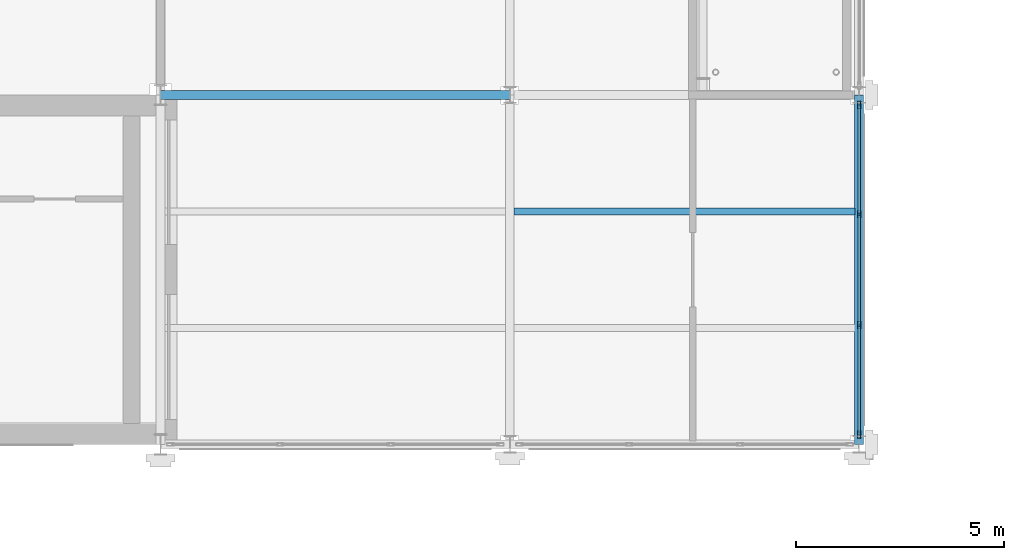
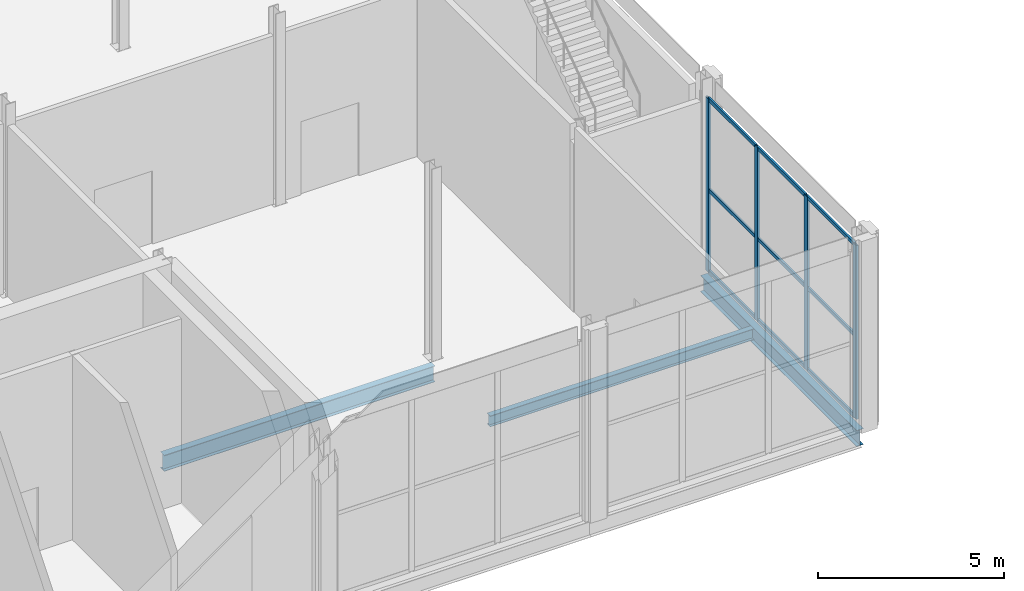
# One storey, part 31 of 77: 13 members, 3 beams, 1 element without a shape of its own.
"""IFC4 building model written with IfcOpenShell, lengths in metres."""

import ifcopenshell
import ifcopenshell.guid

model = None  # the IFC model being written
_history = None  # IfcOwnerHistory: only IFC2X3 demands one
_inside = {}  # id of a spatial element -> (the spatial element, [elements in it])
_under = {}  # id of a project, library or spatial element -> (it, [spatial elements below it])
_declared = {}  # id of a project -> (the project, [libraries it declares])
_typed = {}  # id of a type object -> (the type object, [elements of that type])
_made_of = {}  # id of a material, layer set ... -> (it, [elements and type objects made of it])


def new_model(schema):
    """Start an empty IFC model of exactly this schema.

    Asked for "IFC4X3", IfcOpenShell would pick the latest addendum, in which some entities
    have other attributes; the version numbers below select the first issue.
    IFC2X3 requires an IfcOwnerHistory on every rooted entity: one is made here for all.
    """
    global model, _history
    if schema == "IFC4X3":
        model = ifcopenshell.file(schema_version=(4, 3, 0, 0))
    else:
        model = ifcopenshell.file(schema=schema)
    _inside.clear()
    _under.clear()
    _declared.clear()
    _typed.clear()
    _made_of.clear()
    _history = None
    if model.schema == "IFC2X3":
        org = make("IfcOrganization", Name="unknown")
        user = make(
            "IfcPersonAndOrganization",
            ThePerson=make("IfcPerson", FamilyName="unknown"),
            TheOrganization=org,
        )
        app = make(
            "IfcApplication",
            ApplicationDeveloper=org,
            Version="unknown",
            ApplicationFullName="unknown",
            ApplicationIdentifier="unknown",
        )
        _history = make(
            "IfcOwnerHistory",
            OwningUser=user,
            OwningApplication=app,
            ChangeAction="ADDED",
            CreationDate=0,
        )
    return model


def make(cls, **values):
    """One entity of the class cls with the attributes given. An attribute that is None is left unset."""
    return model.create_entity(
        cls, **{name: value for name, value in values.items() if value is not None}
    )


def rooted(cls, **values):
    """An entity with a GlobalId (a new one), such as an element, a storey or a relation."""
    return make(cls, GlobalId=ifcopenshell.guid.new(), OwnerHistory=_history, **values)


def si_unit(unit_type, name, prefix=None):
    """IfcSIUnit, for example si_unit("LENGTHUNIT", "METRE", prefix="MILLI")."""
    return make("IfcSIUnit", UnitType=unit_type, Prefix=prefix, Name=name)


def assignment(units):
    """IfcUnitAssignment: the units of a project."""
    return None if units is None else make("IfcUnitAssignment", Units=units)


def point(xyz):
    """IfcCartesianPoint."""
    return None if xyz is None else make("IfcCartesianPoint", Coordinates=xyz)


def direction(xyz):
    """IfcDirection."""
    return None if xyz is None else make("IfcDirection", DirectionRatios=xyz)


def frame(location, z_axis=None, x_axis=None):
    """IfcAxis2Placement3D, a coordinate frame: its origin and axes. An axis left out is left unset."""
    return make(
        "IfcAxis2Placement3D",
        Location=point(location),
        Axis=direction(z_axis),
        RefDirection=direction(x_axis),
    )


def frame_2d(location, x_axis=None):
    """IfcAxis2Placement2D, a coordinate frame in the plane: its origin and x axis."""
    return make(
        "IfcAxis2Placement2D", Location=point(location), RefDirection=direction(x_axis)
    )


def origin():
    """The frame at (0, 0, 0) with its axes left unset."""
    return frame((0.0, 0.0, 0.0))


def origin_2d():
    """The frame at (0, 0) in the plane with its x axis left unset."""
    return frame_2d((0.0, 0.0))


def place(relative_to, where):
    """IfcLocalPlacement: puts the frame where relative to a parent placement (None: the world)."""
    return make(
        "IfcLocalPlacement", PlacementRelTo=relative_to, RelativePlacement=where
    )


def context(
    kind, dimensions, precision=None, world=None, true_north=None, identifier=None
):
    """IfcGeometricRepresentationContext, for example the 3D "Model" context."""
    return make(
        "IfcGeometricRepresentationContext",
        ContextIdentifier=identifier,
        ContextType=kind,
        CoordinateSpaceDimension=dimensions,
        Precision=precision,
        WorldCoordinateSystem=world,
        TrueNorth=true_north,
    )


def subcontext(parent, identifier, kind, view, scale=None):
    """IfcGeometricRepresentationSubContext, for example "Body" below "Model"."""
    return make(
        "IfcGeometricRepresentationSubContext",
        ContextIdentifier=identifier,
        ContextType=kind,
        ParentContext=parent,
        TargetScale=scale,
        TargetView=view,
    )


def project(units=None, contexts=None):
    """IfcProject with its units and contexts."""
    return rooted(
        "IfcProject",
        Name="project",
        RepresentationContexts=contexts,
        UnitsInContext=assignment(units),
    )


def spatial(cls, under=None, at=None, **own):
    """A site, building, storey or space (cls), placed at a placement, below another one or the project."""
    s = rooted(cls, ObjectPlacement=at, **own)
    if under is not None:
        _under.setdefault(under.id(), (under, []))[1].append(s)
    return s


def profile(cls, at=None, kind="AREA", **sizes):
    """A parametric profile (cls). Its sizes go by their IFC names, for example OverallWidth=200.0."""
    return make(cls, ProfileType=kind, Position=at, **sizes)


def hollow_rectangle(**sizes):
    """IfcRectangleHollowProfileDef."""
    return profile("IfcRectangleHollowProfileDef", **sizes)


def i_section(**sizes):
    """IfcIShapeProfileDef."""
    return profile("IfcIShapeProfileDef", **sizes)


def extrude(swept, where, along, depth):
    """IfcExtrudedAreaSolid: the profile swept, set in the frame where, extruded along a direction by depth."""
    return make(
        "IfcExtrudedAreaSolid",
        SweptArea=swept,
        Position=where,
        ExtrudedDirection=direction(along),
        Depth=depth,
    )


def shape(context_of_items, identifier, shape_type, items):
    """IfcShapeRepresentation: the items that make up one representation, for example the "Body"."""
    return make(
        "IfcShapeRepresentation",
        ContextOfItems=context_of_items,
        RepresentationIdentifier=identifier,
        RepresentationType=shape_type,
        Items=items,
    )


def material(Name=None, Category=None):
    """IfcMaterial."""
    return make("IfcMaterial", Name=Name, Category=Category)


def material_profile(
    of_material, cross_section, Name=None, Category=None, Priority=None
):
    """IfcMaterialProfile: a cross section and its material."""
    return make(
        "IfcMaterialProfile",
        Name=Name,
        Material=of_material,
        Profile=cross_section,
        Priority=Priority,
        Category=Category,
    )


def profile_set(profiles, Name=None, composite=None):
    """IfcMaterialProfileSet."""
    return make(
        "IfcMaterialProfileSet",
        Name=Name,
        MaterialProfiles=profiles,
        CompositeProfile=composite,
    )


def made_of(thing, what):
    """Note that an element or type object is made of a material, layer set ...; save() writes the relation."""
    if what is not None:
        _made_of.setdefault(what.id(), (what, []))[1].append(thing)
    return thing


def type_object(cls, material=None, **own):
    """A type object (cls), such as IfcWallType, which elements share."""
    return made_of(rooted(cls, **own), material)


def element(
    cls,
    number,
    at=None,
    inside=None,
    cuts=None,
    type_object=None,
    material=None,
    context=None,
    identifier="Body",
    shape_type=None,
    held_by="IfcProductDefinitionShape",
    body=None,
    shapes=None,
    **own,
):
    """One element of the class cls, such as IfcWall. Its Tag is "e" and its number.

    at: its placement. inside: the storey or other place that contains it. cuts: it is an
    opening in that element (IfcRelVoidsElement). A single representation is given by context,
    identifier, shape_type and body (its items); several are given by shapes. held_by: the class
    of the entity that holds the representations. save() writes the other relations.
    """
    e = rooted(cls, Tag="e%d" % number, ObjectPlacement=at, **own)
    if body is not None:
        shapes = [shape(context, identifier, shape_type, body)]
    if shapes is not None:
        e.Representation = make(held_by, Representations=shapes)
    if inside is not None:
        _inside.setdefault(inside.id(), (inside, []))[1].append(e)
    if cuts is not None:
        rooted(
            "IfcRelVoidsElement", RelatingBuildingElement=cuts, RelatedOpeningElement=e
        )
    if type_object is not None:
        _typed.setdefault(type_object.id(), (type_object, []))[1].append(e)
    return made_of(e, material)


def aggregate(whole, parts):
    """IfcRelAggregates: a whole, such as a stair, and the parts it consists of."""
    return rooted("IfcRelAggregates", RelatingObject=whole, RelatedObjects=parts)


def save(model, path):
    """Write the relations noted so far, then the file.

    IfcRelAggregates (storeys below a building ...), IfcRelContainedInSpatialStructure (elements
    in a storey), IfcRelDefinesByType, IfcRelAssociatesMaterial and IfcRelDeclares: one each for
    every whole, place, type object, material and project.
    """
    for whole, parts in _under.values():
        aggregate(whole, parts)
    for where, things in _inside.values():
        rooted(
            "IfcRelContainedInSpatialStructure",
            RelatedElements=things,
            RelatingStructure=where,
        )
    for kind, things in _typed.values():
        rooted("IfcRelDefinesByType", RelatedObjects=things, RelatingType=kind)
    for what, things in _made_of.values():
        rooted("IfcRelAssociatesMaterial", RelatedObjects=things, RelatingMaterial=what)
    for by, libraries in _declared.values():
        rooted("IfcRelDeclares", RelatingContext=by, RelatedDefinitions=libraries)
    model.write(path)


model = new_model("IFC4")

# Units and contexts
model_context = context("Model", 3, precision=1e-05, world=origin(), true_north=direction((0.0, 1.0)))
body_context = subcontext(model_context, "Body", "Model", "MODEL_VIEW")
ifc_project = project(units=[si_unit("LENGTHUNIT", "METRE"), si_unit("AREAUNIT", "SQUARE_METRE"), si_unit("VOLUMEUNIT", "CUBIC_METRE"), si_unit("PLANEANGLEUNIT", "RADIAN"), si_unit("MASSUNIT", "GRAM", prefix="KILO")], contexts=[model_context])

# Site, building, storey
site_placement = place(None, origin())
site = spatial("IfcSite", under=ifc_project, at=site_placement, CompositionType="ELEMENT")
building_placement = place(site_placement, origin())
building = spatial("IfcBuilding", under=site, at=building_placement, Name="Catenary Quay Ferry Terminal", CompositionType="ELEMENT")
storey_placement = place(building_placement, frame((0.0, 0.0, 10.800048828125)))
storey = spatial("IfcBuildingStorey", under=building, at=storey_placement, Name="L02", CompositionType="ELEMENT", Elevation=10.800048828125)

# Beams
ifc_material_1 = material(Name="Steel S355", Category="steel")
ifc_material_profile_1 = material_profile(ifc_material_1, i_section(OverallWidth=0.208740234375, OverallDepth=0.5283203125, WebThickness=0.009521484375, FlangeThickness=0.01318359375, at=origin_2d()), Name="UB 533x210x82")
ifc_profile_set_1 = profile_set([ifc_material_profile_1], Name="Steel S355")
beam_type_1 = type_object("IfcBeamType", Name="B5 UB 533x210x82", PredefinedType="BEAM", material=ifc_profile_set_1)
beam_1_placement = place(storey_placement, frame((50.39990234375, 168.0, -0.51416015625), z_axis=(1.0, 0.0, 0.0), x_axis=(0.0, 1.0, 0.0)))
element("IfcBeam", 1, at=beam_1_placement, inside=storey, type_object=beam_type_1, Name="Beam B5-003", PredefinedType="BEAM", context=body_context, shape_type="SweptSolid", body=[
    extrude(i_section(OverallWidth=0.208740234375, OverallDepth=0.5283203125, WebThickness=0.009521484375, FlangeThickness=0.01318359375, at=origin_2d()), origin(), (0.0, 0.0, 1.0), 8.400146484375),
])
beam_2_placement = place(storey_placement, frame((67.199951171875, 159.60009765625, -0.51416015625), z_axis=(0.0, 1.0, 0.0), x_axis=(-1.0, 0.0, 0.0)))
element("IfcBeam", 2, at=beam_2_placement, inside=storey, type_object=beam_type_1, Name="Beam B5-044", PredefinedType="BEAM", context=body_context, shape_type="SweptSolid", body=[
    extrude(i_section(OverallWidth=0.208740234375, OverallDepth=0.5283203125, WebThickness=0.009521484375, FlangeThickness=0.01318359375, at=origin_2d()), origin(), (0.0, 0.0, 1.0), 8.39990234375),
])
ifc_material_2 = material(Name="Steel S355", Category="steel")
ifc_material_profile_2 = material_profile(ifc_material_2, i_section(OverallWidth=0.169921875, OverallDepth=0.360107421875, WebThickness=0.008056640625, FlangeThickness=0.0126953125, at=origin_2d()), Name="IPE 360")
ifc_profile_set_2 = profile_set([ifc_material_profile_2], Name="Steel S355")
beam_type_2 = type_object("IfcBeamType", Name="B7 IPE 360", PredefinedType="BEAM", material=ifc_profile_set_2)
beam_3_placement = place(storey_placement, frame((58.904052734375, 165.199951171875, -0.429931640625), z_axis=(1.0, 0.0, 0.0), x_axis=(0.0, 1.0, 0.0)))
element("IfcBeam", 3, at=beam_3_placement, inside=storey, type_object=beam_type_2, Name="Beam B7-004", PredefinedType="BEAM", context=body_context, shape_type="SweptSolid", body=[
    extrude(i_section(OverallWidth=0.169921875, OverallDepth=0.360107421875, WebThickness=0.008056640625, FlangeThickness=0.0126953125, at=origin_2d()), origin(), (0.0, 0.0, 1.0), 8.19189453125),
])

# Curtain wall, members
ifc_material_3 = material(Name="Aluminium and glass", Category="aluminium")
curtain_wall_type = type_object("IfcCurtainWallType", Name="CWW2", PredefinedType="NOTDEFINED", material=ifc_material_3)
curtain_wall_placement = place(storey_placement, origin())
curtain_wall = element("IfcCurtainWall", 4, at=curtain_wall_placement, inside=storey, type_object=curtain_wall_type, Name="Wing curtain wall CW130", PredefinedType="NOTDEFINED")
ifc_material_4 = material(Name="Aluminium", Category="aluminium")
ifc_material_profile_3 = material_profile(ifc_material_4, hollow_rectangle(XDim=0.070068359375, YDim=0.179931640625, WallThickness=0.006103515625, at=origin_2d()), Name="MU3")
ifc_profile_set_3 = profile_set([ifc_material_profile_3], Name="Aluminium")
member_type_1 = type_object("IfcMemberType", Name="MU3", PredefinedType="MULLION", material=ifc_profile_set_3)
member_1_placement = place(storey_placement, frame((67.199951171875, 159.8349609375, 0.0), z_axis=(0.0, 0.0, 1.0), x_axis=(-1.0, 0.0, 0.0)))
member_1 = element("IfcMember", 5, at=member_1_placement, type_object=member_type_1, Name="CW130 mullion 1", PredefinedType="MULLION", context=body_context, shape_type="SweptSolid", body=[
    extrude(hollow_rectangle(XDim=0.070068359375, YDim=0.179931640625, WallThickness=0.006103515625, at=origin_2d()), origin(), (0.0, 0.0, 1.0), 5.699951171875),
])
member_2_placement = place(storey_placement, frame((67.199951171875, 162.466552734375, 0.0), z_axis=(0.0, 0.0, 1.0), x_axis=(-1.0, 0.0, 0.0)))
member_2 = element("IfcMember", 6, at=member_2_placement, type_object=member_type_1, Name="CW130 mullion 2", PredefinedType="MULLION", context=body_context, shape_type="SweptSolid", body=[
    extrude(hollow_rectangle(XDim=0.070068359375, YDim=0.179931640625, WallThickness=0.006103515625, at=origin_2d()), origin(), (0.0, 0.0, 1.0), 5.699951171875),
])
member_3_placement = place(storey_placement, frame((67.199951171875, 165.13330078125, 0.0), z_axis=(0.0, 0.0, 1.0), x_axis=(-1.0, 0.0, 0.0)))
member_3 = element("IfcMember", 7, at=member_3_placement, type_object=member_type_1, Name="CW130 mullion 3", PredefinedType="MULLION", context=body_context, shape_type="SweptSolid", body=[
    extrude(hollow_rectangle(XDim=0.070068359375, YDim=0.179931640625, WallThickness=0.006103515625, at=origin_2d()), origin(), (0.0, 0.0, 1.0), 5.699951171875),
])
member_4_placement = place(storey_placement, frame((67.199951171875, 167.764892578125, 0.0), z_axis=(0.0, 0.0, 1.0), x_axis=(-1.0, 0.0, 0.0)))
member_4 = element("IfcMember", 8, at=member_4_placement, type_object=member_type_1, Name="CW130 mullion 4", PredefinedType="MULLION", context=body_context, shape_type="SweptSolid", body=[
    extrude(hollow_rectangle(XDim=0.070068359375, YDim=0.179931640625, WallThickness=0.006103515625, at=origin_2d()), origin(), (0.0, 0.0, 1.0), 5.699951171875),
])
ifc_material_5 = material(Name="Aluminium", Category="aluminium")
ifc_material_profile_4 = material_profile(ifc_material_5, hollow_rectangle(XDim=0.06005859375, YDim=0.1201171875, WallThickness=0.0048828125, at=origin_2d()), Name="TR3")
ifc_profile_set_4 = profile_set([ifc_material_profile_4], Name="Aluminium")
member_type_2 = type_object("IfcMemberType", Name="TR3", PredefinedType="USERDEFINED", material=ifc_profile_set_4)
member_5_placement = place(storey_placement, frame((67.199951171875, 159.8701171875, 0.030029296875), z_axis=(0.0, 1.0, 0.0), x_axis=(-1.0, 0.0, 0.0)))
member_5 = element("IfcMember", 9, at=member_5_placement, type_object=member_type_2, Name="CW130 transom 1.1", ObjectType="TRANSOM", PredefinedType="USERDEFINED", context=body_context, shape_type="SweptSolid", body=[
    extrude(hollow_rectangle(XDim=0.06005859375, YDim=0.1201171875, WallThickness=0.0048828125, at=origin_2d()), origin(), (0.0, 0.0, 1.0), 2.5615234375),
])
member_6_placement = place(storey_placement, frame((67.199951171875, 159.8701171875, 2.699951171875), z_axis=(0.0, 1.0, 0.0), x_axis=(-1.0, 0.0, 0.0)))
member_6 = element("IfcMember", 10, at=member_6_placement, type_object=member_type_2, Name="CW130 transom 1.2", ObjectType="TRANSOM", PredefinedType="USERDEFINED", context=body_context, shape_type="SweptSolid", body=[
    extrude(hollow_rectangle(XDim=0.06005859375, YDim=0.1201171875, WallThickness=0.0048828125, at=origin_2d()), origin(), (0.0, 0.0, 1.0), 2.5615234375),
])
member_7_placement = place(storey_placement, frame((67.199951171875, 159.8701171875, 5.669921875), z_axis=(0.0, 1.0, 0.0), x_axis=(-1.0, 0.0, 0.0)))
member_7 = element("IfcMember", 11, at=member_7_placement, type_object=member_type_2, Name="CW130 transom 1.3", ObjectType="TRANSOM", PredefinedType="USERDEFINED", context=body_context, shape_type="SweptSolid", body=[
    extrude(hollow_rectangle(XDim=0.06005859375, YDim=0.1201171875, WallThickness=0.0048828125, at=origin_2d()), origin(), (0.0, 0.0, 1.0), 2.5615234375),
])
member_8_placement = place(storey_placement, frame((67.199951171875, 162.501708984375, 0.030029296875), z_axis=(0.0, 1.0, 0.0), x_axis=(-1.0, 0.0, 0.0)))
member_8 = element("IfcMember", 12, at=member_8_placement, type_object=member_type_2, Name="CW130 transom 2.1", ObjectType="TRANSOM", PredefinedType="USERDEFINED", context=body_context, shape_type="SweptSolid", body=[
    extrude(hollow_rectangle(XDim=0.06005859375, YDim=0.1201171875, WallThickness=0.0048828125, at=origin_2d()), origin(), (0.0, 0.0, 1.0), 2.5966796875),
])
member_9_placement = place(storey_placement, frame((67.199951171875, 162.501708984375, 2.699951171875), z_axis=(0.0, 1.0, 0.0), x_axis=(-1.0, 0.0, 0.0)))
member_9 = element("IfcMember", 13, at=member_9_placement, type_object=member_type_2, Name="CW130 transom 2.2", ObjectType="TRANSOM", PredefinedType="USERDEFINED", context=body_context, shape_type="SweptSolid", body=[
    extrude(hollow_rectangle(XDim=0.06005859375, YDim=0.1201171875, WallThickness=0.0048828125, at=origin_2d()), origin(), (0.0, 0.0, 1.0), 2.5966796875),
])
member_10_placement = place(storey_placement, frame((67.199951171875, 162.501708984375, 5.669921875), z_axis=(0.0, 1.0, 0.0), x_axis=(-1.0, 0.0, 0.0)))
member_10 = element("IfcMember", 14, at=member_10_placement, type_object=member_type_2, Name="CW130 transom 2.3", ObjectType="TRANSOM", PredefinedType="USERDEFINED", context=body_context, shape_type="SweptSolid", body=[
    extrude(hollow_rectangle(XDim=0.06005859375, YDim=0.1201171875, WallThickness=0.0048828125, at=origin_2d()), origin(), (0.0, 0.0, 1.0), 2.5966796875),
])
member_11_placement = place(storey_placement, frame((67.199951171875, 165.168212890625, 0.030029296875), z_axis=(0.0, 1.0, 0.0), x_axis=(-1.0, 0.0, 0.0)))
member_11 = element("IfcMember", 15, at=member_11_placement, type_object=member_type_2, Name="CW130 transom 3.1", ObjectType="TRANSOM", PredefinedType="USERDEFINED", context=body_context, shape_type="SweptSolid", body=[
    extrude(hollow_rectangle(XDim=0.06005859375, YDim=0.1201171875, WallThickness=0.0048828125, at=origin_2d()), origin(), (0.0, 0.0, 1.0), 2.561767578125),
])
member_12_placement = place(storey_placement, frame((67.199951171875, 165.168212890625, 2.699951171875), z_axis=(0.0, 1.0, 0.0), x_axis=(-1.0, 0.0, 0.0)))
member_12 = element("IfcMember", 16, at=member_12_placement, type_object=member_type_2, Name="CW130 transom 3.2", ObjectType="TRANSOM", PredefinedType="USERDEFINED", context=body_context, shape_type="SweptSolid", body=[
    extrude(hollow_rectangle(XDim=0.06005859375, YDim=0.1201171875, WallThickness=0.0048828125, at=origin_2d()), origin(), (0.0, 0.0, 1.0), 2.561767578125),
])
member_13_placement = place(storey_placement, frame((67.199951171875, 165.168212890625, 5.669921875), z_axis=(0.0, 1.0, 0.0), x_axis=(-1.0, 0.0, 0.0)))
member_13 = element("IfcMember", 17, at=member_13_placement, type_object=member_type_2, Name="CW130 transom 3.3", ObjectType="TRANSOM", PredefinedType="USERDEFINED", context=body_context, shape_type="SweptSolid", body=[
    extrude(hollow_rectangle(XDim=0.06005859375, YDim=0.1201171875, WallThickness=0.0048828125, at=origin_2d()), origin(), (0.0, 0.0, 1.0), 2.561767578125),
])
aggregate(curtain_wall, [member_1, member_2, member_3, member_4, member_5, member_6, member_7, member_8, member_9, member_10, member_11, member_12, member_13])

save(model, "model.ifc")
